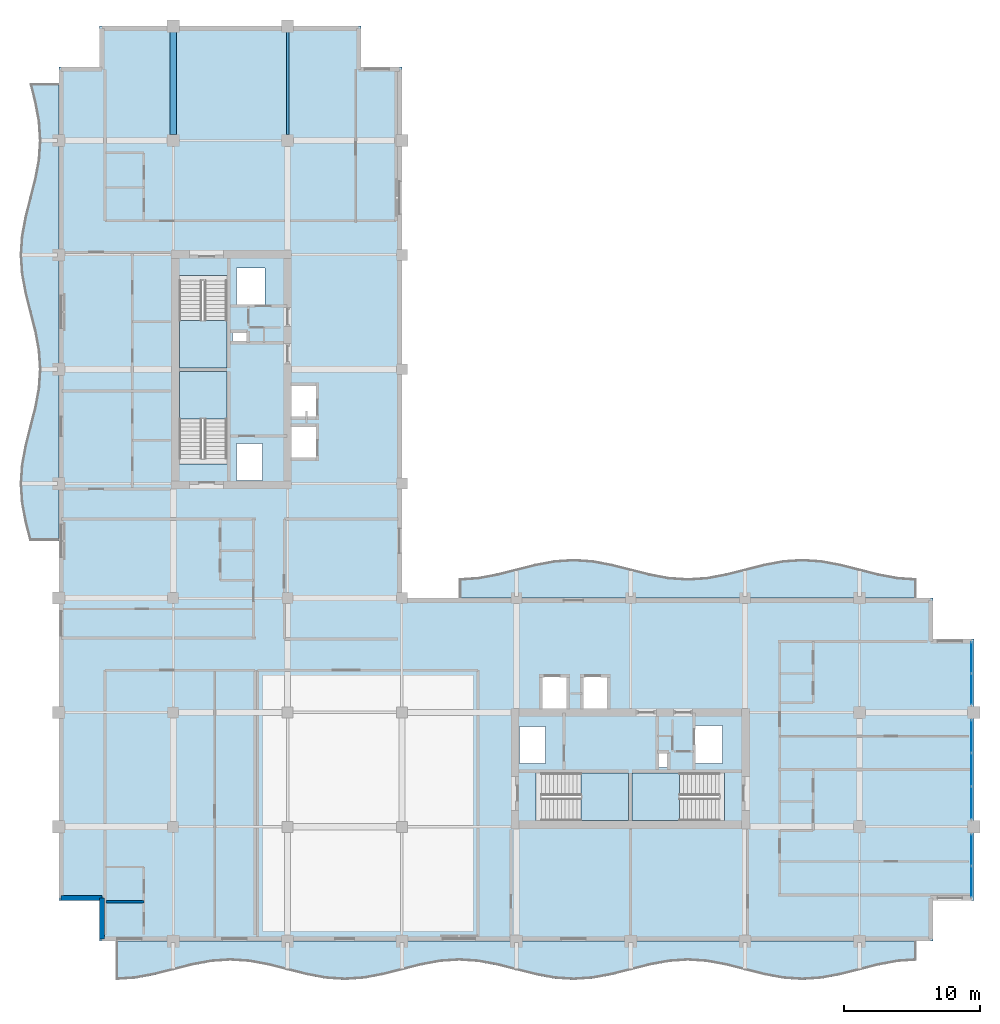
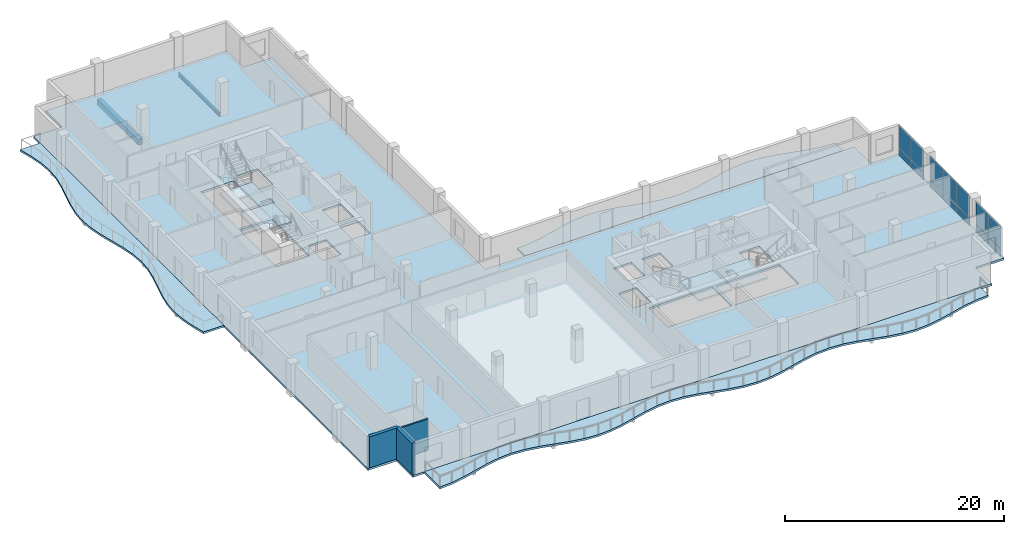
# One storey, part 5 of 16: 14 plates, 8 slabs, 3 walls, 2 beams, 7 elements without a shape of their own.
"""IFC4 building model written with IfcOpenShell, lengths in metres."""

from ifc_helpers import new_model, si_unit, direction, frame, frame_2d, origin, origin_2d, place, context, subcontext, project, spatial, polyline, rectangle, i_section, outline, extrude, material, layer, layer_set, material_profile, profile_set, type_object, element, aggregate, save


model = new_model("IFC4")

# Units and contexts
model_context = context("Model", 3, precision=1e-05, world=origin(), true_north=direction((0.0, 1.0)))
body_context = subcontext(model_context, "Body", "Model", "MODEL_VIEW")
ifc_project = project(units=[si_unit("LENGTHUNIT", "METRE"), si_unit("AREAUNIT", "SQUARE_METRE"), si_unit("VOLUMEUNIT", "CUBIC_METRE"), si_unit("PLANEANGLEUNIT", "RADIAN"), si_unit("MASSUNIT", "GRAM", prefix="KILO")], contexts=[model_context])

# Site, building, storey
site_placement = place(None, origin())
site = spatial("IfcSite", under=ifc_project, at=site_placement, CompositionType="ELEMENT")
building_placement = place(site_placement, origin())
building = spatial("IfcBuilding", under=site, at=building_placement, Name="Koriwani Terraces Tower", CompositionType="ELEMENT")
storey_placement = place(building_placement, frame((0.0, 0.0, 274.89990234375)))
storey = spatial("IfcBuildingStorey", under=building, at=storey_placement, Name="L68", CompositionType="ELEMENT", Elevation=274.89990234375)

# Beams
ifc_material_1 = material(Name="Concrete C50/60", Category="concrete")
ifc_material_profile_1 = material_profile(ifc_material_1, rectangle(XDim=0.449951171875, YDim=0.64990234375, at=origin_2d()), Name="Concrete C50/60", Category="LoadBearing")
ifc_profile_set_1 = profile_set([ifc_material_profile_1], Name="Concrete C50/60")
beam_type_1 = type_object("IfcBeamType", Name="BEAM_RC_GRID_450X650", PredefinedType="BEAM", material=ifc_profile_set_1)
beam_1_placement = place(storey_placement, frame((16.800048828125, 67.6298828125, -0.554931640625), z_axis=(0.0, 1.0, 0.0), x_axis=(-1.0, 0.0, 0.0)))
element("IfcBeam", 1, at=beam_1_placement, inside=storey, type_object=beam_type_1, Name="L68 Grid Beam 3 (67.2-75.6m)", PredefinedType="BEAM", context=body_context, shape_type="SweptSolid", body=[
    extrude(rectangle(XDim=0.449951171875, YDim=0.64990234375, at=origin_2d()), origin(), (0.0, 0.0, 1.0), 7.5400390625),
])
ifc_material_2 = material(Name="Steel ASTM A572 Grade 50", Category="steel")
ifc_material_profile_2 = material_profile(ifc_material_2, i_section(OverallWidth=0.180908203125, OverallDepth=0.4169921875, WebThickness=0.010986328125, FlangeThickness=0.018310546875, at=origin_2d()), Name="Steel ASTM A572 Grade 50", Category="LoadBearing")
ifc_profile_set_2 = profile_set([ifc_material_profile_2], Name="Steel ASTM A572 Grade 50")
beam_type_2 = type_object("IfcBeamType", Name="STEEL_BEAM_W410X85", PredefinedType="JOIST", material=ifc_profile_set_2)
beam_2_placement = place(storey_placement, frame((25.199951171875, 67.6298828125, -0.4384765625), z_axis=(0.0, 1.0, 0.0), x_axis=(-1.0, 0.0, 0.0)))
element("IfcBeam", 2, at=beam_2_placement, inside=storey, type_object=beam_type_2, Name="L68 Grid Beam 4 (67.2-75.6m)", PredefinedType="JOIST", context=body_context, shape_type="SweptSolid", body=[
    extrude(i_section(OverallWidth=0.180908203125, OverallDepth=0.4169921875, WebThickness=0.010986328125, FlangeThickness=0.018310546875, at=origin_2d()), origin(), (0.0, 0.0, 1.0), 7.5400390625),
])

# Curtain wall, plates
ifc_material_3 = material(Name="Anodised Bronze Aluminium", Category="aluminium")
ifc_layer_1 = layer(ifc_material_3, 0.169921875, Name="Anodised Bronze Aluminium")
ifc_layer_set_1 = layer_set([ifc_layer_1], Name="Anodised Bronze Aluminium")
curtain_wall_type = type_object("IfcCurtainWallType", Name="CW_RES_ZONE4", PredefinedType="NOTDEFINED", material=ifc_layer_set_1)
curtain_wall_1_placement = place(storey_placement, origin())
curtain_wall_1 = element("IfcCurtainWall", 3, at=curtain_wall_1_placement, inside=storey, type_object=curtain_wall_type, Name="L68 Unitised Curtain Wall (E_TIP) Bay 1", PredefinedType="NOTDEFINED")
ifc_material_4 = material(Name="Tempered Laminated Low-E Glass", Category="glass")
ifc_layer_2 = layer(ifc_material_4, 0.028076171875, Name="Tempered Laminated Low-E Glass")
ifc_layer_set_2 = layer_set([ifc_layer_2], Name="Tempered Laminated Low-E Glass")
plate_type = type_object("IfcPlateType", Name="CW_PANEL_VISION_28", PredefinedType="CURTAIN_PANEL", material=ifc_layer_set_2)
plate_1_placement = place(storey_placement, frame((75.425048828125, 29.2275390625, 0.06494140625), z_axis=(0.0, 0.0, 1.0), x_axis=(0.0, -1.0, 0.0)))
plate_1 = element("IfcPlate", 4, at=plate_1_placement, type_object=plate_type, Name="CW-Z4 panel 1.1", PredefinedType="CURTAIN_PANEL", context=body_context, shape_type="SweptSolid", body=[
    extrude(rectangle(XDim=2.2451171875, YDim=0.028076171875, at=origin_2d()), origin(), (0.0, 0.0, 1.0), 0.802490234375),
])
plate_2_placement = place(storey_placement, frame((75.425048828125, 29.2275390625, 0.9326171875), z_axis=(0.0, 0.0, 1.0), x_axis=(0.0, -1.0, 0.0)))
plate_2 = element("IfcPlate", 5, at=plate_2_placement, type_object=plate_type, Name="CW-Z4 panel 1.2", PredefinedType="CURTAIN_PANEL", context=body_context, shape_type="SweptSolid", body=[
    extrude(rectangle(XDim=2.2451171875, YDim=0.028076171875, at=origin_2d()), origin(), (0.0, 0.0, 1.0), 2.472412109375),
])
plate_3_placement = place(storey_placement, frame((75.425048828125, 26.907470703125, 0.06494140625), z_axis=(0.0, 0.0, 1.0), x_axis=(0.0, -1.0, 0.0)))
plate_3 = element("IfcPlate", 6, at=plate_3_placement, type_object=plate_type, Name="CW-Z4 panel 2.1", PredefinedType="CURTAIN_PANEL", context=body_context, shape_type="SweptSolid", body=[
    extrude(rectangle(XDim=2.2451171875, YDim=0.028076171875, at=origin_2d()), origin(), (0.0, 0.0, 1.0), 0.802490234375),
])
plate_4_placement = place(storey_placement, frame((75.425048828125, 26.907470703125, 0.9326171875), z_axis=(0.0, 0.0, 1.0), x_axis=(0.0, -1.0, 0.0)))
plate_4 = element("IfcPlate", 7, at=plate_4_placement, type_object=plate_type, Name="CW-Z4 panel 2.2", PredefinedType="CURTAIN_PANEL", context=body_context, shape_type="SweptSolid", body=[
    extrude(rectangle(XDim=2.2451171875, YDim=0.028076171875, at=origin_2d()), origin(), (0.0, 0.0, 1.0), 2.472412109375),
])
aggregate(curtain_wall_1, [plate_1, plate_2, plate_3, plate_4])

curtain_wall_2_placement = place(storey_placement, origin())
curtain_wall_2 = element("IfcCurtainWall", 8, at=curtain_wall_2_placement, inside=storey, type_object=curtain_wall_type, Name="L68 Unitised Curtain Wall (E_TIP) Bay 2", PredefinedType="NOTDEFINED")
plate_5_placement = place(storey_placement, frame((75.425048828125, 23.441162109375, 0.06494140625), z_axis=(0.0, 0.0, 1.0), x_axis=(0.0, -1.0, 0.0)))
plate_5 = element("IfcPlate", 9, at=plate_5_placement, type_object=plate_type, Name="CW-Z4 panel 1.1", PredefinedType="CURTAIN_PANEL", context=body_context, shape_type="SweptSolid", body=[
    extrude(rectangle(XDim=2.347412109375, YDim=0.028076171875, at=origin_2d()), origin(), (0.0, 0.0, 1.0), 0.802490234375),
])
plate_6_placement = place(storey_placement, frame((75.425048828125, 23.441162109375, 0.9326171875), z_axis=(0.0, 0.0, 1.0), x_axis=(0.0, -1.0, 0.0)))
plate_6 = element("IfcPlate", 10, at=plate_6_placement, type_object=plate_type, Name="CW-Z4 panel 1.2", PredefinedType="CURTAIN_PANEL", context=body_context, shape_type="SweptSolid", body=[
    extrude(rectangle(XDim=2.347412109375, YDim=0.028076171875, at=origin_2d()), origin(), (0.0, 0.0, 1.0), 2.472412109375),
])
plate_7_placement = place(storey_placement, frame((75.425048828125, 21.0, 0.06494140625), z_axis=(0.0, 0.0, 1.0), x_axis=(0.0, -1.0, 0.0)))
plate_7 = element("IfcPlate", 11, at=plate_7_placement, type_object=plate_type, Name="CW-Z4 panel 2.1", PredefinedType="CURTAIN_PANEL", context=body_context, shape_type="SweptSolid", body=[
    extrude(rectangle(XDim=2.385009765625, YDim=0.028076171875, at=origin_2d()), origin(), (0.0, 0.0, 1.0), 0.802490234375),
])
plate_8_placement = place(storey_placement, frame((75.425048828125, 21.0, 0.9326171875), z_axis=(0.0, 0.0, 1.0), x_axis=(0.0, -1.0, 0.0)))
plate_8 = element("IfcPlate", 12, at=plate_8_placement, type_object=plate_type, Name="CW-Z4 panel 2.2", PredefinedType="CURTAIN_PANEL", context=body_context, shape_type="SweptSolid", body=[
    extrude(rectangle(XDim=2.385009765625, YDim=0.028076171875, at=origin_2d()), origin(), (0.0, 0.0, 1.0), 2.472412109375),
])
plate_9_placement = place(storey_placement, frame((75.425048828125, 18.558837890625, 0.06494140625), z_axis=(0.0, 0.0, 1.0), x_axis=(0.0, -1.0, 0.0)))
plate_9 = element("IfcPlate", 13, at=plate_9_placement, type_object=plate_type, Name="CW-Z4 panel 3.1", PredefinedType="CURTAIN_PANEL", context=body_context, shape_type="SweptSolid", body=[
    extrude(rectangle(XDim=2.347412109375, YDim=0.028076171875, at=origin_2d()), origin(), (0.0, 0.0, 1.0), 0.802490234375),
])
plate_10_placement = place(storey_placement, frame((75.425048828125, 18.558837890625, 0.9326171875), z_axis=(0.0, 0.0, 1.0), x_axis=(0.0, -1.0, 0.0)))
plate_10 = element("IfcPlate", 14, at=plate_10_placement, type_object=plate_type, Name="CW-Z4 panel 3.2", PredefinedType="CURTAIN_PANEL", context=body_context, shape_type="SweptSolid", body=[
    extrude(rectangle(XDim=2.347412109375, YDim=0.028076171875, at=origin_2d()), origin(), (0.0, 0.0, 1.0), 2.472412109375),
])
aggregate(curtain_wall_2, [plate_5, plate_6, plate_7, plate_8, plate_9, plate_10])

curtain_wall_3_placement = place(storey_placement, origin())
curtain_wall_3 = element("IfcCurtainWall", 15, at=curtain_wall_3_placement, inside=storey, type_object=curtain_wall_type, Name="L68 Unitised Curtain Wall (E_TIP) Bay 3", PredefinedType="NOTDEFINED")
plate_11_placement = place(storey_placement, frame((75.425048828125, 15.092529296875, 0.06494140625), z_axis=(0.0, 0.0, 1.0), x_axis=(0.0, -1.0, 0.0)))
plate_11 = element("IfcPlate", 16, at=plate_11_placement, type_object=plate_type, Name="CW-Z4 panel 1.1", PredefinedType="CURTAIN_PANEL", context=body_context, shape_type="SweptSolid", body=[
    extrude(rectangle(XDim=2.2451171875, YDim=0.028076171875, at=origin_2d()), origin(), (0.0, 0.0, 1.0), 0.802490234375),
])
plate_12_placement = place(storey_placement, frame((75.425048828125, 15.092529296875, 0.9326171875), z_axis=(0.0, 0.0, 1.0), x_axis=(0.0, -1.0, 0.0)))
plate_12 = element("IfcPlate", 17, at=plate_12_placement, type_object=plate_type, Name="CW-Z4 panel 1.2", PredefinedType="CURTAIN_PANEL", context=body_context, shape_type="SweptSolid", body=[
    extrude(rectangle(XDim=2.2451171875, YDim=0.028076171875, at=origin_2d()), origin(), (0.0, 0.0, 1.0), 2.472412109375),
])
plate_13_placement = place(storey_placement, frame((75.425048828125, 12.7724609375, 0.06494140625), z_axis=(0.0, 0.0, 1.0), x_axis=(0.0, -1.0, 0.0)))
plate_13 = element("IfcPlate", 18, at=plate_13_placement, type_object=plate_type, Name="CW-Z4 panel 2.1", PredefinedType="CURTAIN_PANEL", context=body_context, shape_type="SweptSolid", body=[
    extrude(rectangle(XDim=2.2451171875, YDim=0.028076171875, at=origin_2d()), origin(), (0.0, 0.0, 1.0), 0.802490234375),
])
plate_14_placement = place(storey_placement, frame((75.425048828125, 12.7724609375, 0.9326171875), z_axis=(0.0, 0.0, 1.0), x_axis=(0.0, -1.0, 0.0)))
plate_14 = element("IfcPlate", 19, at=plate_14_placement, type_object=plate_type, Name="CW-Z4 panel 2.2", PredefinedType="CURTAIN_PANEL", context=body_context, shape_type="SweptSolid", body=[
    extrude(rectangle(XDim=2.2451171875, YDim=0.028076171875, at=origin_2d()), origin(), (0.0, 0.0, 1.0), 2.472412109375),
])
aggregate(curtain_wall_3, [plate_11, plate_12, plate_13, plate_14])

# Slabs
ifc_material_5 = material(Name="Concrete C40/50", Category="concrete")
ifc_layer_3 = layer(ifc_material_5, 0.219970703125, Name="Concrete C40/50")
ifc_layer_set_3 = layer_set([ifc_layer_3], Name="Concrete C40/50")
slab_type_1 = type_object("IfcSlabType", Name="SLAB_BALCONY_220", PredefinedType="FLOOR", material=ifc_layer_set_3)
slab_1_placement = place(storey_placement, frame((0.0, 0.0, -0.219970703125)))
element("IfcSlab", 20, at=slab_1_placement, inside=storey, type_object=slab_type_1, Name="L68 Quilted Circular-Arc Balcony (S)", PredefinedType="FLOOR", context=body_context, shape_type="SweptSolid", body=[
    extrude(outline(polyline([(12.60009765625, 8.39990234375), (14.0, 8.39990234375), (15.39990234375, 8.39990234375), (16.800048828125, 8.39990234375), (18.199951171875, 8.39990234375), (19.60009765625, 8.39990234375), (21.0, 8.39990234375), (22.39990234375, 8.39990234375), (23.800048828125, 8.39990234375), (25.199951171875, 8.39990234375), (26.60009765625, 8.39990234375), (28.0, 8.39990234375), (29.39990234375, 8.39990234375), (30.800048828125, 8.39990234375), (32.199951171875, 8.39990234375), (33.60009765625, 8.39990234375), (35.0, 8.39990234375), (36.39990234375, 8.39990234375), (37.800048828125, 8.39990234375), (39.199951171875, 8.39990234375), (40.60009765625, 8.39990234375), (42.0, 8.39990234375), (43.39990234375, 8.39990234375), (44.800048828125, 8.39990234375), (46.199951171875, 8.39990234375), (47.60009765625, 8.39990234375), (49.0, 8.39990234375), (50.39990234375, 8.39990234375), (51.800048828125, 8.39990234375), (53.199951171875, 8.39990234375), (54.60009765625, 8.39990234375), (56.0, 8.39990234375), (57.39990234375, 8.39990234375), (58.800048828125, 8.39990234375), (60.199951171875, 8.39990234375), (61.60009765625, 8.39990234375), (63.0, 8.39990234375), (64.39990234375, 8.39990234375), (65.800048828125, 8.39990234375), (67.199951171875, 8.39990234375), (68.60009765625, 8.39990234375), (70.0, 8.39990234375), (71.39990234375, 8.39990234375), (71.39990234375, 6.969970703125), (70.0, 6.875), (68.60009765625, 6.614990234375), (67.199951171875, 6.260009765625), (65.800048828125, 5.905029296875), (64.39990234375, 5.64501953125), (63.0, 5.550048828125), (61.60009765625, 5.64501953125), (60.199951171875, 5.905029296875), (58.800048828125, 6.260009765625), (57.39990234375, 6.614990234375), (56.0, 6.875), (54.60009765625, 6.969970703125), (53.199951171875, 6.875), (51.800048828125, 6.614990234375), (50.39990234375, 6.260009765625), (49.0, 5.905029296875), (47.60009765625, 5.64501953125), (46.199951171875, 5.550048828125), (44.800048828125, 5.64501953125), (43.39990234375, 5.905029296875), (42.0, 6.260009765625), (40.60009765625, 6.614990234375), (39.199951171875, 6.875), (37.800048828125, 6.969970703125), (36.39990234375, 6.875), (35.0, 6.614990234375), (33.60009765625, 6.260009765625), (32.199951171875, 5.905029296875), (30.800048828125, 5.64501953125), (29.39990234375, 5.550048828125), (28.0, 5.64501953125), (26.60009765625, 5.905029296875), (25.199951171875, 6.260009765625), (23.800048828125, 6.614990234375), (22.39990234375, 6.875), (21.0, 6.969970703125), (19.60009765625, 6.875), (18.199951171875, 6.614990234375), (16.800048828125, 6.260009765625), (15.39990234375, 5.905029296875), (14.0, 5.64501953125), (12.60009765625, 5.550048828125), (12.60009765625, 8.39990234375)])), origin(), (0.0, 0.0, 1.0), 0.219970703125),
])
slab_2_placement = place(storey_placement, frame((0.0, 0.0, -0.219970703125)))
element("IfcSlab", 21, at=slab_2_placement, inside=storey, type_object=slab_type_1, Name="L68 Quilted Circular-Arc Balcony (W)", PredefinedType="FLOOR", context=body_context, shape_type="SweptSolid", body=[
    extrude(outline(polyline([(8.39990234375, 37.800048828125), (8.39990234375, 39.199951171875), (8.39990234375, 40.60009765625), (8.39990234375, 42.0), (8.39990234375, 43.39990234375), (8.39990234375, 44.800048828125), (8.39990234375, 46.199951171875), (8.39990234375, 47.60009765625), (8.39990234375, 49.0), (8.39990234375, 50.39990234375), (8.39990234375, 51.800048828125), (8.39990234375, 53.199951171875), (8.39990234375, 54.60009765625), (8.39990234375, 56.0), (8.39990234375, 57.39990234375), (8.39990234375, 58.800048828125), (8.39990234375, 60.199951171875), (8.39990234375, 61.60009765625), (8.39990234375, 63.0), (8.39990234375, 64.39990234375), (8.39990234375, 65.800048828125), (8.39990234375, 67.199951171875), (8.39990234375, 68.60009765625), (8.39990234375, 70.0), (8.39990234375, 71.39990234375), (6.260009765625, 71.39990234375), (6.614990234375, 70.0), (6.875, 68.60009765625), (6.969970703125, 67.199951171875), (6.875, 65.800048828125), (6.614990234375, 64.39990234375), (6.260009765625, 63.0), (5.905029296875, 61.60009765625), (5.64501953125, 60.199951171875), (5.550048828125, 58.800048828125), (5.64501953125, 57.39990234375), (5.905029296875, 56.0), (6.260009765625, 54.60009765625), (6.614990234375, 53.199951171875), (6.875, 51.800048828125), (6.969970703125, 50.39990234375), (6.875, 49.0), (6.614990234375, 47.60009765625), (6.260009765625, 46.199951171875), (5.905029296875, 44.800048828125), (5.64501953125, 43.39990234375), (5.550048828125, 42.0), (5.64501953125, 40.60009765625), (5.905029296875, 39.199951171875), (6.260009765625, 37.800048828125), (8.39990234375, 37.800048828125)])), origin(), (0.0, 0.0, 1.0), 0.219970703125),
])
slab_3_placement = place(storey_placement, frame((0.0, 0.0, -0.219970703125)))
element("IfcSlab", 22, at=slab_3_placement, inside=storey, type_object=slab_type_1, Name="L68 Quilted Circular-Arc Balcony (NE)", PredefinedType="FLOOR", context=body_context, shape_type="SweptSolid", body=[
    extrude(outline(polyline([(71.39990234375, 33.60009765625), (70.0, 33.60009765625), (68.60009765625, 33.60009765625), (67.199951171875, 33.60009765625), (65.800048828125, 33.60009765625), (64.39990234375, 33.60009765625), (63.0, 33.60009765625), (61.60009765625, 33.60009765625), (60.199951171875, 33.60009765625), (58.800048828125, 33.60009765625), (57.39990234375, 33.60009765625), (56.0, 33.60009765625), (54.60009765625, 33.60009765625), (53.199951171875, 33.60009765625), (51.800048828125, 33.60009765625), (50.39990234375, 33.60009765625), (49.0, 33.60009765625), (47.60009765625, 33.60009765625), (46.199951171875, 33.60009765625), (44.800048828125, 33.60009765625), (43.39990234375, 33.60009765625), (42.0, 33.60009765625), (40.60009765625, 33.60009765625), (39.199951171875, 33.60009765625), (37.800048828125, 33.60009765625), (37.800048828125, 35.030029296875), (39.199951171875, 35.125), (40.60009765625, 35.385009765625), (42.0, 35.739990234375), (43.39990234375, 36.094970703125), (44.800048828125, 36.35498046875), (46.199951171875, 36.449951171875), (47.60009765625, 36.35498046875), (49.0, 36.094970703125), (50.39990234375, 35.739990234375), (51.800048828125, 35.385009765625), (53.199951171875, 35.125), (54.60009765625, 35.030029296875), (56.0, 35.125), (57.39990234375, 35.385009765625), (58.800048828125, 35.739990234375), (60.199951171875, 36.094970703125), (61.60009765625, 36.35498046875), (63.0, 36.449951171875), (64.39990234375, 36.35498046875), (65.800048828125, 36.094970703125), (67.199951171875, 35.739990234375), (68.60009765625, 35.385009765625), (70.0, 35.125), (71.39990234375, 35.030029296875), (71.39990234375, 33.60009765625)])), origin(), (0.0, 0.0, 1.0), 0.219970703125),
])
ifc_layer_4 = layer(ifc_material_5, 0.22998046875, Name="Concrete C40/50")
ifc_layer_set_4 = layer_set([ifc_layer_4], Name="Concrete C40/50")
slab_type_2 = type_object("IfcSlabType", Name="SLAB_RES_TYP_230", PredefinedType="FLOOR", material=ifc_layer_set_4)
slab_4_placement = place(storey_placement, frame((0.0, 0.0, -0.22998046875)))
element("IfcSlab", 23, at=slab_4_placement, inside=storey, type_object=slab_type_2, Name="L68 Structural Floor Slab", PredefinedType="FLOOR", context=body_context, shape_type="SweptSolid", body=[
    extrude(outline(polyline([(11.39990234375, 8.39990234375), (72.60009765625, 8.39990234375), (72.60009765625, 11.39990234375), (75.60009765625, 11.39990234375), (75.60009765625, 30.60009765625), (72.60009765625, 30.60009765625), (72.60009765625, 33.60009765625), (33.60009765625, 33.60009765625), (33.60009765625, 72.60009765625), (30.60009765625, 72.60009765625), (30.60009765625, 75.60009765625), (11.39990234375, 75.60009765625), (11.39990234375, 72.60009765625), (8.39990234375, 72.60009765625), (8.39990234375, 11.39990234375), (11.39990234375, 11.39990234375), (11.39990234375, 8.39990234375)]), holes=[polyline([(17.25, 43.4599609375), (20.75, 43.4599609375), (20.75, 50.25), (17.25, 50.25), (17.25, 43.4599609375)]), polyline([(17.25, 50.5), (20.75, 50.5), (20.75, 57.2900390625), (17.25, 57.2900390625), (17.25, 50.5)]), polyline([(43.4599609375, 17.25), (50.25, 17.25), (50.25, 20.75), (43.4599609375, 20.75), (43.4599609375, 17.25)]), polyline([(50.5, 17.25), (57.2900390625, 17.25), (57.2900390625, 20.75), (50.5, 20.75), (50.5, 17.25)]), polyline([(25.449951171875, 43.85009765625), (27.35009765625, 43.85009765625), (27.35009765625, 46.25), (25.449951171875, 46.25), (25.449951171875, 43.85009765625)]), polyline([(25.449951171875, 46.85009765625), (27.35009765625, 46.85009765625), (27.35009765625, 49.25), (25.449951171875, 49.25), (25.449951171875, 46.85009765625)]), polyline([(43.85009765625, 25.449951171875), (45.75, 25.449951171875), (45.75, 27.85009765625), (43.85009765625, 27.85009765625), (43.85009765625, 25.449951171875)]), polyline([(46.85009765625, 25.449951171875), (48.75, 25.449951171875), (48.75, 27.85009765625), (46.85009765625, 27.85009765625), (46.85009765625, 25.449951171875)]), polyline([(21.449951171875, 55.050048828125), (23.550048828125, 55.050048828125), (23.550048828125, 57.85009765625), (21.449951171875, 57.85009765625), (21.449951171875, 55.050048828125)]), polyline([(55.050048828125, 21.449951171875), (57.14990234375, 21.449951171875), (57.14990234375, 24.25), (55.050048828125, 24.25), (55.050048828125, 21.449951171875)]), polyline([(21.449951171875, 42.25), (23.35009765625, 42.25), (23.35009765625, 44.949951171875), (21.449951171875, 44.949951171875), (21.449951171875, 42.25)]), polyline([(42.25, 21.449951171875), (44.14990234375, 21.449951171875), (44.14990234375, 24.14990234375), (42.25, 24.14990234375), (42.25, 21.449951171875)]), polyline([(21.14990234375, 52.419921875), (22.219970703125, 52.419921875), (22.219970703125, 53.179931640625), (21.14990234375, 53.179931640625), (21.14990234375, 52.419921875)]), polyline([(52.419921875, 21.14990234375), (53.179931640625, 21.14990234375), (53.179931640625, 22.219970703125), (52.419921875, 22.219970703125), (52.419921875, 21.14990234375)])]), origin(), (0.0, 0.0, 1.0), 0.22998046875),
])

# Stair, slab
stair_type = type_object("IfcStairType", Name="STAIR_CORE_DOGLEG_1650", PredefinedType="TWO_STRAIGHT_RUN_STAIR", material=ifc_material_5)
stair_1_placement = place(storey_placement, origin())
stair_1 = element("IfcStair", 24, at=stair_1_placement, inside=storey, type_object=stair_type, Name="L68 West Core Exit Stair 1", PredefinedType="HALF_TURN_STAIR")
ifc_layer_5 = layer(ifc_material_5, 0.199951171875, Name="Concrete C40/50")
ifc_layer_set_5 = layer_set([ifc_layer_5], Name="Concrete C40/50")
slab_type_3 = type_object("IfcSlabType", Name="SLAB_STAIR_LANDING_200", PredefinedType="LANDING", material=ifc_layer_set_5)
slab_5_placement = place(storey_placement, frame((0.0, 0.0, 1.650146484375)))
slab_5 = element("IfcSlab", 25, at=slab_5_placement, type_object=slab_type_3, Name="ST-W1 landing 1", PredefinedType="LANDING", context=body_context, shape_type="SweptSolid", body=[
    extrude(outline(polyline([(20.75, 46.75), (20.75, 50.25), (17.25, 50.25), (17.25, 46.75), (20.75, 46.75)])), origin(), (0.0, 0.0, 1.0), 0.199951171875),
])
aggregate(stair_1, [slab_5])

stair_2_placement = place(storey_placement, origin())
stair_2 = element("IfcStair", 26, at=stair_2_placement, inside=storey, type_object=stair_type, Name="L68 West Core Exit Stair 2", PredefinedType="HALF_TURN_STAIR")
slab_6_placement = place(storey_placement, frame((0.0, 0.0, 1.650146484375)))
slab_6 = element("IfcSlab", 27, at=slab_6_placement, type_object=slab_type_3, Name="ST-W2 landing 1", PredefinedType="LANDING", context=body_context, shape_type="SweptSolid", body=[
    extrude(outline(polyline([(17.25, 54.0), (17.25, 50.5), (20.75, 50.5), (20.75, 54.0), (17.25, 54.0)])), origin(), (0.0, 0.0, 1.0), 0.199951171875),
])
aggregate(stair_2, [slab_6])

stair_3_placement = place(storey_placement, origin())
stair_3 = element("IfcStair", 28, at=stair_3_placement, inside=storey, type_object=stair_type, Name="L68 East Core Exit Stair 1", PredefinedType="HALF_TURN_STAIR")
slab_7_placement = place(storey_placement, frame((0.0, 0.0, 1.650146484375)))
slab_7 = element("IfcSlab", 29, at=slab_7_placement, type_object=slab_type_3, Name="ST-E1 landing 1", PredefinedType="LANDING", context=body_context, shape_type="SweptSolid", body=[
    extrude(outline(polyline([(46.75, 17.25), (50.25, 17.25), (50.25, 20.75), (46.75, 20.75), (46.75, 17.25)])), origin(), (0.0, 0.0, 1.0), 0.199951171875),
])
aggregate(stair_3, [slab_7])

stair_4_placement = place(storey_placement, origin())
stair_4 = element("IfcStair", 30, at=stair_4_placement, inside=storey, type_object=stair_type, Name="L68 East Core Exit Stair 2", PredefinedType="HALF_TURN_STAIR")
slab_8_placement = place(storey_placement, frame((0.0, 0.0, 1.650146484375)))
slab_8 = element("IfcSlab", 31, at=slab_8_placement, type_object=slab_type_3, Name="ST-E2 landing 1", PredefinedType="LANDING", context=body_context, shape_type="SweptSolid", body=[
    extrude(outline(polyline([(54.0, 20.75), (50.5, 20.75), (50.5, 17.25), (54.0, 17.25), (54.0, 20.75)])), origin(), (0.0, 0.0, 1.0), 0.199951171875),
])
aggregate(stair_4, [slab_8])

# Walls
ifc_layer_6 = layer(ifc_material_1, 0.35009765625, Name="Concrete C50/60")
ifc_layer_set_6 = layer_set([ifc_layer_6], Name="Concrete C50/60")
wall_type_1 = type_object("IfcWallType", Name="WALL_EXT_BRUTALIST_350", PredefinedType="STANDARD", material=ifc_layer_set_6)
for number, where, z_axis, x_axis, name in (
    (32, (11.574951171875, 8.574951171875, 0.0), (0.0, 0.0, 1.0), (0.0, 1.0, 0.0), "L68 Fair-Faced Brutalist Exterior Wall (N0)"),
    (33, (11.574951171875, 11.574951171875, 0.0), (0.0, 0.0, 1.0), (-1.0, 0.0, 0.0), "L68 Fair-Faced Brutalist Exterior Wall (N1)"),
):
    element("IfcWall", number, at=place(storey_placement, frame(where, z_axis=z_axis, x_axis=x_axis)), inside=storey, type_object=wall_type_1, Name=name, PredefinedType="STANDARD", context=body_context, shape_type="SweptSolid", body=[
        extrude(rectangle(XDim=3.0, YDim=0.35009765625, at=frame_2d((1.5, 0.0))), origin(), (0.0, 0.0, 1.0), 3.47021484375),
    ])
ifc_material_6 = material(Name="Fire-Rated Acoustic Gypsum Partition", Category="masonry")
ifc_layer_7 = layer(ifc_material_6, 0.179931640625, Name="Fire-Rated Acoustic Gypsum Partition")
ifc_layer_set_7 = layer_set([ifc_layer_7], Name="Fire-Rated Acoustic Gypsum Partition")
wall_type_2 = type_object("IfcWallType", Name="WALL_PLUMBING_180", PredefinedType="PLUMBINGWALL", material=ifc_layer_set_7)
wall_placement = place(storey_placement, frame((11.85009765625, 11.300048828125, 0.0), z_axis=(0.0, 0.0, 1.0), x_axis=(1.0, 0.0, 0.0)))
element("IfcWall", 34, at=wall_placement, inside=storey, type_object=wall_type_2, Name="L68 Interior Wall WGB-L68-SPINE-SVM", PredefinedType="PLUMBINGWALL", context=body_context, shape_type="SweptSolid", body=[
    extrude(rectangle(XDim=2.7998046875, YDim=0.179931640625, at=frame_2d((1.39990234375, 0.0))), origin(), (0.0, 0.0, 1.0), 3.47021484375),
])

save(model, "model.ifc")
